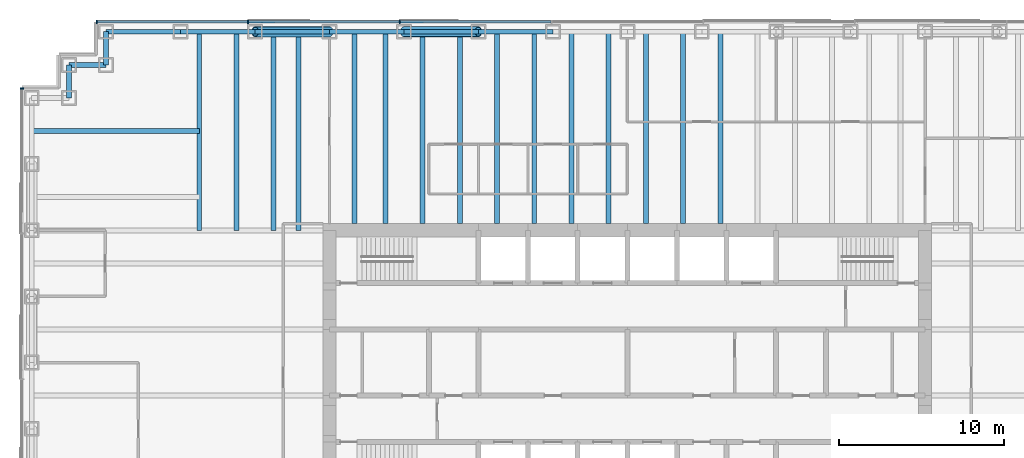
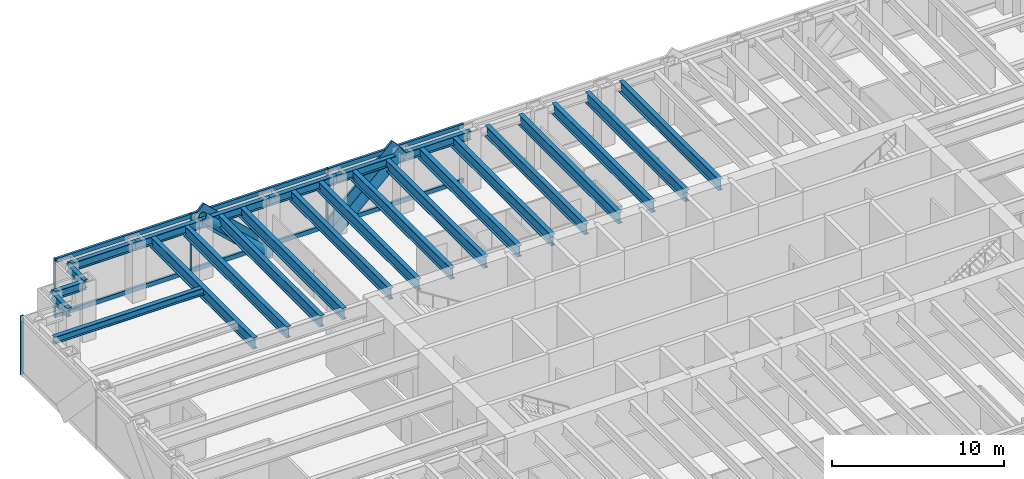
# One storey, part 5 of 14: 25 beams, 14 members, 2 elements without a shape of their own.
"""IFC4 building model written with IfcOpenShell, lengths in metres."""

from ifc_helpers import new_model, si_unit, direction, frame, origin, origin_2d, place, context, subcontext, project, spatial, rectangle, hollow_circle, i_section, extrude, material, material_profile, profile_set, type_object, element, aggregate, save


model = new_model("IFC4")

# Units and contexts
model_context = context("Model", 3, precision=1e-05, world=origin(), true_north=direction((0.0, 1.0)))
body_context = subcontext(model_context, "Body", "Model", "MODEL_VIEW")
ifc_project = project(units=[si_unit("LENGTHUNIT", "METRE"), si_unit("AREAUNIT", "SQUARE_METRE"), si_unit("VOLUMEUNIT", "CUBIC_METRE"), si_unit("PLANEANGLEUNIT", "RADIAN"), si_unit("MASSUNIT", "GRAM", prefix="KILO")], contexts=[model_context])

# Site, building, storey
site_placement = place(None, origin())
site = spatial("IfcSite", under=ifc_project, at=site_placement, CompositionType="ELEMENT")
building_placement = place(site_placement, origin())
building = spatial("IfcBuilding", under=site, at=building_placement, Name="Rheinbord Bourse Tower", CompositionType="ELEMENT")
storey_placement = place(building_placement, frame((0.0, 0.0, 202.60009765625)))
storey = spatial("IfcBuildingStorey", under=building, at=storey_placement, Name="L45", CompositionType="ELEMENT", Elevation=202.60009765625)

# Curtain wall, members
ifc_material_1 = material(Name="Dark glass and black aluminium", Category="aluminium")
curtain_wall_type = type_object("IfcCurtainWallType", Name="CW2 DARK GLASS CURTAIN WALL", PredefinedType="USERDEFINED", material=ifc_material_1)
curtain_wall_1_placement = place(storey_placement, origin())
curtain_wall_1 = element("IfcCurtainWall", 1, at=curtain_wall_1_placement, inside=storey, type_object=curtain_wall_type, Name="Curtain wall CW2 N L45", ObjectType="UNITISED CURTAIN WALL", PredefinedType="USERDEFINED")
ifc_material_2 = material(Name="Black anodised aluminium", Category="aluminium")
ifc_material_profile_1 = material_profile(ifc_material_2, rectangle(XDim=0.159912109375, YDim=1.2099609375, at=origin_2d()), Name="CW2 DIAGONAL MULLION 1210x160")
ifc_profile_set_1 = profile_set([ifc_material_profile_1], Name="Black anodised aluminium")
member_type_1 = type_object("IfcMemberType", Name="CW2 BLACK DIAGONAL MULLION", PredefinedType="USERDEFINED", material=ifc_profile_set_1)
member_1_placement = place(storey_placement, frame((22.5, 44.60009765625, 0.0), z_axis=(0.73105922506, 0.0, 0.682314010889), x_axis=(0.0, 1.0, 0.0)))
member_1 = element("IfcMember", 2, at=member_1_placement, type_object=member_type_1, Name="CW2 diagonal mullion b", ObjectType="DIAGONAL MULLION", PredefinedType="USERDEFINED", context=body_context, shape_type="SweptSolid", body=[
    extrude(rectangle(XDim=0.159912109375, YDim=1.2099609375, at=origin_2d()), origin(), (0.0, 0.0, 1.0), 6.155517578125),
])
member_2_placement = place(storey_placement, frame((18.0, 44.60009765625, 0.0), z_axis=(-0.73105922506, 0.0, 0.682314010889), x_axis=(0.0, -1.0, 0.0)))
member_2 = element("IfcMember", 3, at=member_2_placement, type_object=member_type_1, Name="CW2 diagonal mullion c", ObjectType="DIAGONAL MULLION", PredefinedType="USERDEFINED", context=body_context, shape_type="SweptSolid", body=[
    extrude(rectangle(XDim=0.159912109375, YDim=1.2099609375, at=origin_2d()), origin(), (0.0, 0.0, 1.0), 6.155517578125),
])
ifc_material_3 = material(Name="Black anodised aluminium", Category="aluminium")
ifc_material_profile_2 = material_profile(ifc_material_3, rectangle(XDim=0.219970703125, YDim=0.070068359375, at=origin_2d()), Name="CW2 MULLION 70x220")
ifc_profile_set_2 = profile_set([ifc_material_profile_2], Name="Black anodised aluminium")
member_type_2 = type_object("IfcMemberType", Name="CW2 BLACK MULLION", PredefinedType="MULLION", material=ifc_profile_set_2)
member_3_placement = place(storey_placement, frame((22.242919921875, 44.60009765625, 0.0), z_axis=(0.0, 0.0, 1.0), x_axis=(0.0, -1.0, 0.0)))
member_3 = element("IfcMember", 4, at=member_3_placement, type_object=member_type_2, Name="CW2 mullion 6", PredefinedType="MULLION", context=body_context, shape_type="SweptSolid", body=[
    extrude(rectangle(XDim=0.219970703125, YDim=0.070068359375, at=origin_2d()), origin(), (0.0, 0.0, 1.0), 4.199951171875),
])
member_4_placement = place(storey_placement, frame((13.071533203125, 44.60009765625, 0.0), z_axis=(0.0, 0.0, 1.0), x_axis=(0.0, -1.0, 0.0)))
member_4 = element("IfcMember", 5, at=member_4_placement, type_object=member_type_2, Name="CW2 mullion 7", PredefinedType="MULLION", context=body_context, shape_type="SweptSolid", body=[
    extrude(rectangle(XDim=0.219970703125, YDim=0.070068359375, at=origin_2d()), origin(), (0.0, 0.0, 1.0), 4.199951171875),
])
member_5_placement = place(storey_placement, frame((3.93505859375, 44.60009765625, 0.0), z_axis=(0.0, 0.0, 1.0), x_axis=(0.0, -1.0, 0.0)))
member_5 = element("IfcMember", 6, at=member_5_placement, type_object=member_type_2, Name="CW2 mullion 8", PredefinedType="MULLION", context=body_context, shape_type="SweptSolid", body=[
    extrude(rectangle(XDim=0.219970703125, YDim=0.070068359375, at=origin_2d()), origin(), (0.0, 0.0, 1.0), 4.199951171875),
])

# Curtain wall, member
curtain_wall_2_placement = place(storey_placement, origin())
curtain_wall_2 = element("IfcCurtainWall", 7, at=curtain_wall_2_placement, inside=storey, type_object=curtain_wall_type, Name="Curtain wall CW2 W L45", ObjectType="UNITISED CURTAIN WALL", PredefinedType="USERDEFINED")
member_6_placement = place(storey_placement, frame((-0.60009765625, 40.56494140625, 0.0), z_axis=(0.0, 0.0, 1.0), x_axis=(1.0, 0.0, 0.0)))
member_6 = element("IfcMember", 8, at=member_6_placement, type_object=member_type_2, Name="CW2 mullion 1", PredefinedType="MULLION", context=body_context, shape_type="SweptSolid", body=[
    extrude(rectangle(XDim=0.219970703125, YDim=0.070068359375, at=origin_2d()), origin(), (0.0, 0.0, 1.0), 4.199951171875),
])
aggregate(curtain_wall_2, [member_6])

# Member
ifc_material_4 = material(Name="Black anodised aluminium", Category="aluminium")
ifc_material_profile_3 = material_profile(ifc_material_4, rectangle(XDim=0.159912109375, YDim=0.300048828125, at=origin_2d()), Name="CW2 TRANSOM 300x160")
ifc_profile_set_3 = profile_set([ifc_material_profile_3], Name="Black anodised aluminium")
member_type_3 = type_object("IfcMemberType", Name="CW2 BLACK TRANSOM", PredefinedType="USERDEFINED", material=ifc_profile_set_3)
member_7_placement = place(storey_placement, frame((31.37939453125, 44.60009765625, 0.14990234375), z_axis=(-1.0, 0.0, 0.0), x_axis=(0.0, -1.0, 0.0)))
member_7 = element("IfcMember", 9, at=member_7_placement, type_object=member_type_3, Name="CW2 transom 5.1", ObjectType="TRANSOM", PredefinedType="USERDEFINED", context=body_context, shape_type="SweptSolid", body=[
    extrude(rectangle(XDim=0.159912109375, YDim=0.300048828125, at=origin_2d()), origin(), (0.0, 0.0, 1.0), 9.1015625),
])

member_8_placement = place(storey_placement, frame((31.37939453125, 44.60009765625, 4.0498046875), z_axis=(-1.0, 0.0, 0.0), x_axis=(0.0, -1.0, 0.0)))
member_8 = element("IfcMember", 10, at=member_8_placement, type_object=member_type_3, Name="CW2 transom 5.2", ObjectType="TRANSOM", PredefinedType="USERDEFINED", context=body_context, shape_type="SweptSolid", body=[
    extrude(rectangle(XDim=0.159912109375, YDim=0.300048828125, at=origin_2d()), origin(), (0.0, 0.0, 1.0), 9.1015625),
])

member_9_placement = place(storey_placement, frame((22.207763671875, 44.60009765625, 0.14990234375), z_axis=(-1.0, 0.0, 0.0), x_axis=(0.0, -1.0, 0.0)))
member_9 = element("IfcMember", 11, at=member_9_placement, type_object=member_type_3, Name="CW2 transom 6.1", ObjectType="TRANSOM", PredefinedType="USERDEFINED", context=body_context, shape_type="SweptSolid", body=[
    extrude(rectangle(XDim=0.159912109375, YDim=0.300048828125, at=origin_2d()), origin(), (0.0, 0.0, 1.0), 9.101318359375),
])

member_10_placement = place(storey_placement, frame((22.207763671875, 44.60009765625, 4.0498046875), z_axis=(-1.0, 0.0, 0.0), x_axis=(0.0, -1.0, 0.0)))
member_10 = element("IfcMember", 12, at=member_10_placement, type_object=member_type_3, Name="CW2 transom 6.2", ObjectType="TRANSOM", PredefinedType="USERDEFINED", context=body_context, shape_type="SweptSolid", body=[
    extrude(rectangle(XDim=0.159912109375, YDim=0.300048828125, at=origin_2d()), origin(), (0.0, 0.0, 1.0), 9.101318359375),
])

member_11_placement = place(storey_placement, frame((13.036376953125, 44.60009765625, 0.14990234375), z_axis=(-1.0, 0.0, 0.0), x_axis=(0.0, -1.0, 0.0)))
member_11 = element("IfcMember", 13, at=member_11_placement, type_object=member_type_3, Name="CW2 transom 7.1", ObjectType="TRANSOM", PredefinedType="USERDEFINED", context=body_context, shape_type="SweptSolid", body=[
    extrude(rectangle(XDim=0.159912109375, YDim=0.300048828125, at=origin_2d()), origin(), (0.0, 0.0, 1.0), 9.06640625),
])

member_12_placement = place(storey_placement, frame((13.036376953125, 44.60009765625, 4.0498046875), z_axis=(-1.0, 0.0, 0.0), x_axis=(0.0, -1.0, 0.0)))
member_12 = element("IfcMember", 14, at=member_12_placement, type_object=member_type_3, Name="CW2 transom 7.2", ObjectType="TRANSOM", PredefinedType="USERDEFINED", context=body_context, shape_type="SweptSolid", body=[
    extrude(rectangle(XDim=0.159912109375, YDim=0.300048828125, at=origin_2d()), origin(), (0.0, 0.0, 1.0), 9.06640625),
])

aggregate(curtain_wall_1, [member_3, member_4, member_5, member_7, member_8, member_9, member_10, member_11, member_12, member_1, member_2])

# Beams
ifc_material_5 = material(Name="Steel S460", Category="steel")
ifc_material_profile_4 = material_profile(ifc_material_5, i_section(OverallWidth=0.300048828125, OverallDepth=0.800048828125, WebThickness=0.017578125, FlangeThickness=0.032958984375, at=origin_2d()), Name="HEB 800")
ifc_profile_set_4 = profile_set([ifc_material_profile_4], Name="Steel S460")
beam_type_1 = type_object("IfcBeamType", Name="FLOOR BEAM HEB 800", PredefinedType="BEAM", material=ifc_profile_set_4)
for number, where, z_axis, x_axis, name in (
    (15, (10.125, 44.0, 3.639892578125), (0.0, -1.0, 0.0), (1.0, 0.0, 0.0), "Floor beam N-9a L46"),
    (16, (12.375, 44.0, 3.639892578125), (0.0, -1.0, 0.0), (1.0, 0.0, 0.0), "Floor beam N-9b L46"),
    (17, (14.625, 44.0, 3.639892578125), (0.0, -1.0, 0.0), (1.0, 0.0, 0.0), "Floor beam N-13.5a L46"),
    (18, (16.125, 44.0, 3.639892578125), (0.0, -1.0, 0.0), (1.0, 0.0, 0.0), "Floor beam N-13.5b L46"),
):
    element("IfcBeam", number, at=place(storey_placement, frame(where, z_axis=z_axis, x_axis=x_axis)), inside=storey, type_object=beam_type_1, Name=name, PredefinedType="BEAM", context=body_context, shape_type="SweptSolid", body=[
        extrude(i_section(OverallWidth=0.300048828125, OverallDepth=0.800048828125, WebThickness=0.017578125, FlangeThickness=0.032958984375, at=origin_2d()), origin(), (0.0, 0.0, 1.0), 12.0),
    ])
for number, where, z_axis, x_axis, name in (
    (19, (19.5, 44.0, 3.639892578125), (0.0, -1.0, 0.0), (1.0, 0.0, 0.0), "Floor beam N-18a L46"),
    (20, (21.375, 44.0, 3.639892578125), (0.0, -1.0, 0.0), (1.0, 0.0, 0.0), "Floor beam N-18b L46"),
    (21, (23.625, 44.0, 3.639892578125), (0.0, -1.0, 0.0), (1.0, 0.0, 0.0), "Floor beam N-22.5a L46"),
    (22, (25.875, 44.0, 3.639892578125), (0.0, -1.0, 0.0), (1.0, 0.0, 0.0), "Floor beam N-22.5b L46"),
    (23, (28.125, 44.0, 3.639892578125), (0.0, -1.0, 0.0), (1.0, 0.0, 0.0), "Floor beam N-27a L46"),
    (24, (30.375, 44.0, 3.639892578125), (0.0, -1.0, 0.0), (1.0, 0.0, 0.0), "Floor beam N-27b L46"),
    (25, (32.625, 44.0, 3.639892578125), (0.0, -1.0, 0.0), (1.0, 0.0, 0.0), "Floor beam N-31.5a L46"),
    (26, (34.875, 44.0, 3.639892578125), (0.0, -1.0, 0.0), (1.0, 0.0, 0.0), "Floor beam N-31.5b L46"),
    (27, (37.125, 44.0, 3.639892578125), (0.0, -1.0, 0.0), (1.0, 0.0, 0.0), "Floor beam N-36a L46"),
    (28, (39.375, 44.0, 3.639892578125), (0.0, -1.0, 0.0), (1.0, 0.0, 0.0), "Floor beam N-36b L46"),
    (29, (41.625, 44.0, 3.639892578125), (0.0, -1.0, 0.0), (1.0, 0.0, 0.0), "Floor beam N-40.5a L46"),
):
    element("IfcBeam", number, at=place(storey_placement, frame(where, z_axis=z_axis, x_axis=x_axis)), inside=storey, type_object=beam_type_1, Name=name, PredefinedType="BEAM", context=body_context, shape_type="SweptSolid", body=[
        extrude(i_section(OverallWidth=0.300048828125, OverallDepth=0.800048828125, WebThickness=0.017578125, FlangeThickness=0.032958984375, at=origin_2d()), origin(), (0.0, 0.0, 1.0), 11.60009765625),
    ])

# Members
ifc_material_6 = material(Name="Steel S460", Category="steel")
ifc_material_profile_5 = material_profile(ifc_material_6, hollow_circle(Radius=0.304931640625, WallThickness=0.0400390625, at=origin_2d()), Name="CHS 610x40")
ifc_profile_set_5 = profile_set([ifc_material_profile_5], Name="Steel S460")
member_type_4 = type_object("IfcMemberType", Name="MEGABRACE CHS 610x40", PredefinedType="BRACE", material=ifc_profile_set_5)
for number, where, z_axis, x_axis, name in (
    (30, (22.5, 44.0, 0.0), (0.73105922506, 0.0, 0.682314010889), (0.0, 1.0, 0.0), "Megabrace N face line b L45"),
    (31, (18.0, 44.0, 0.0), (-0.73105922506, 0.0, 0.682314010889), (0.0, -1.0, 0.0), "Megabrace N face line c L45"),
):
    element("IfcMember", number, at=place(storey_placement, frame(where, z_axis=z_axis, x_axis=x_axis)), inside=storey, type_object=member_type_4, Name=name, PredefinedType="BRACE", context=body_context, shape_type="SweptSolid", body=[
        extrude(hollow_circle(Radius=0.304931640625, WallThickness=0.0400390625, at=origin_2d()), origin(), (0.0, 0.0, 1.0), 6.155517578125),
    ])

# Beams
ifc_material_7 = material(Name="Steel S460", Category="steel")
ifc_material_profile_6 = material_profile(ifc_material_7, i_section(OverallWidth=0.300048828125, OverallDepth=0.60009765625, WebThickness=0.015380859375, FlangeThickness=0.030029296875, at=origin_2d()), Name="HEB 600")
ifc_profile_set_6 = profile_set([ifc_material_profile_6], Name="Steel S460")
beam_type_2 = type_object("IfcBeamType", Name="SPANDREL HEB 600", PredefinedType="SPANDREL", material=ifc_profile_set_6)
for number, where, z_axis, x_axis, name in (
    (32, (31.5, 44.0, 3.739990234375), (-1.0, 0.0, 0.0), (0.0, -1.0, 0.0), "Spandrel N-31.5-N-27 under L46"),
    (33, (27.0, 44.0, 3.739990234375), (-1.0, 0.0, 0.0), (0.0, -1.0, 0.0), "Spandrel N-27-N-22.5 under L46"),
    (34, (22.5, 44.0, 3.739990234375), (-1.0, 0.0, 0.0), (0.0, -1.0, 0.0), "Spandrel N-22.5-N-18 under L46"),
    (35, (18.0, 44.0, 3.739990234375), (-1.0, 0.0, 0.0), (0.0, -1.0, 0.0), "Spandrel N-18-N-13.5 under L46"),
    (36, (13.5, 44.0, 3.739990234375), (-1.0, 0.0, 0.0), (0.0, -1.0, 0.0), "Spandrel N-13.5-N-9 under L46"),
    (37, (9.0, 44.0, 3.739990234375), (-1.0, 0.0, 0.0), (0.0, -1.0, 0.0), "Spandrel N-9-NW-E under L46"),
):
    element("IfcBeam", number, at=place(storey_placement, frame(where, z_axis=z_axis, x_axis=x_axis)), inside=storey, type_object=beam_type_2, Name=name, PredefinedType="SPANDREL", context=body_context, shape_type="SweptSolid", body=[
        extrude(i_section(OverallWidth=0.300048828125, OverallDepth=0.60009765625, WebThickness=0.015380859375, FlangeThickness=0.030029296875, at=origin_2d()), origin(), (0.0, 0.0, 1.0), 4.5),
    ])
beam_1_placement = place(storey_placement, frame((4.5, 44.0, 3.739990234375), z_axis=(0.0, -1.0, 0.0), x_axis=(1.0, 0.0, 0.0)))
element("IfcBeam", 38, at=beam_1_placement, inside=storey, type_object=beam_type_2, Name="Spandrel NW-E-NW-D under L46", PredefinedType="SPANDREL", context=body_context, shape_type="SweptSolid", body=[
    extrude(i_section(OverallWidth=0.300048828125, OverallDepth=0.60009765625, WebThickness=0.015380859375, FlangeThickness=0.030029296875, at=origin_2d()), origin(), (0.0, 0.0, 1.0), 2.0),
])
beam_2_placement = place(storey_placement, frame((4.5, 42.0, 3.739990234375), z_axis=(-1.0, 0.0, 0.0), x_axis=(0.0, -1.0, 0.0)))
element("IfcBeam", 39, at=beam_2_placement, inside=storey, type_object=beam_type_2, Name="Spandrel NW-D-NW-C under L46", PredefinedType="SPANDREL", context=body_context, shape_type="SweptSolid", body=[
    extrude(i_section(OverallWidth=0.300048828125, OverallDepth=0.60009765625, WebThickness=0.015380859375, FlangeThickness=0.030029296875, at=origin_2d()), origin(), (0.0, 0.0, 1.0), 2.25),
])
beam_3_placement = place(storey_placement, frame((2.25, 42.0, 3.739990234375), z_axis=(0.0, -1.0, 0.0), x_axis=(1.0, 0.0, 0.0)))
element("IfcBeam", 40, at=beam_3_placement, inside=storey, type_object=beam_type_2, Name="Spandrel NW-C-NW-B under L46", PredefinedType="SPANDREL", context=body_context, shape_type="SweptSolid", body=[
    extrude(i_section(OverallWidth=0.300048828125, OverallDepth=0.60009765625, WebThickness=0.015380859375, FlangeThickness=0.030029296875, at=origin_2d()), origin(), (0.0, 0.0, 1.0), 2.0),
])
ifc_material_8 = material(Name="Steel S460", Category="steel")
ifc_material_profile_7 = material_profile(ifc_material_8, i_section(OverallWidth=0.300048828125, OverallDepth=0.5, WebThickness=0.014404296875, FlangeThickness=0.028076171875, at=origin_2d()), Name="HEB 500")
ifc_profile_set_7 = profile_set([ifc_material_profile_7], Name="Steel S460")
beam_type_3 = type_object("IfcBeamType", Name="TIE BEAM HEB 500", PredefinedType="JOIST", material=ifc_profile_set_7)
beam_4_placement = place(storey_placement, frame((0.0, 38.0, 3.789794921875), z_axis=(1.0, 0.0, 0.0), x_axis=(0.0, 1.0, 0.0)))
element("IfcBeam", 41, at=beam_4_placement, inside=storey, type_object=beam_type_3, Name="Tie west 38 L46", PredefinedType="JOIST", context=body_context, shape_type="SweptSolid", body=[
    extrude(i_section(OverallWidth=0.300048828125, OverallDepth=0.5, WebThickness=0.014404296875, FlangeThickness=0.028076171875, at=origin_2d()), origin(), (0.0, 0.0, 1.0), 10.125),
])

save(model, "model.ifc")
